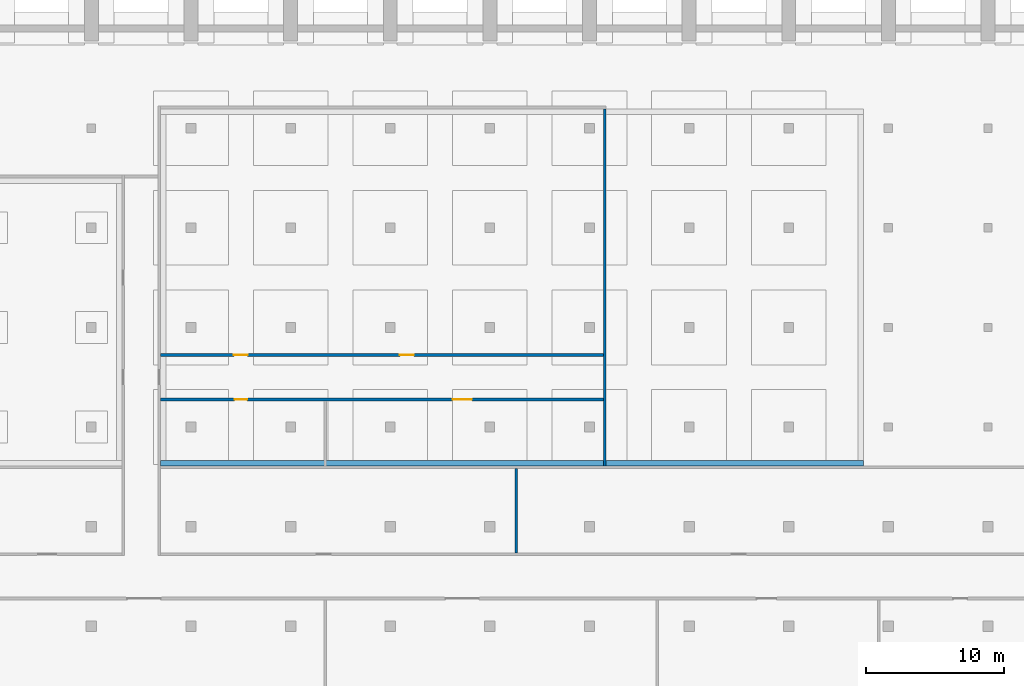
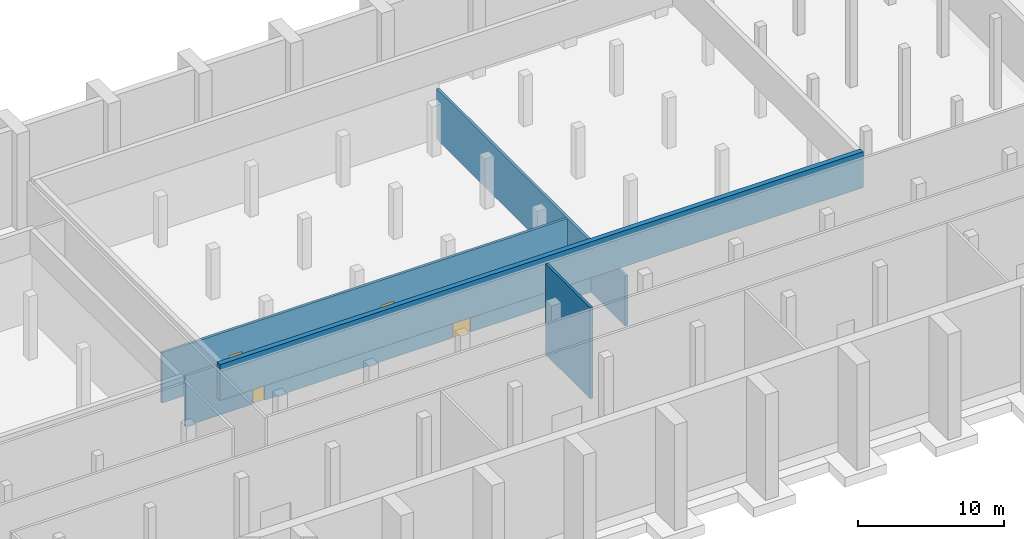
# One storey, part 7 of 14: 5 walls, 4 doors, 4 openings.
"""IFC4 building model written with IfcOpenShell, lengths in metres."""

import ifcopenshell
import ifcopenshell.guid

model = None  # the IFC model being written
_history = None  # IfcOwnerHistory: only IFC2X3 demands one
_inside = {}  # id of a spatial element -> (the spatial element, [elements in it])
_under = {}  # id of a project, library or spatial element -> (it, [spatial elements below it])
_declared = {}  # id of a project -> (the project, [libraries it declares])
_typed = {}  # id of a type object -> (the type object, [elements of that type])
_made_of = {}  # id of a material, layer set ... -> (it, [elements and type objects made of it])


def new_model(schema):
    """Start an empty IFC model of exactly this schema.

    Asked for "IFC4X3", IfcOpenShell would pick the latest addendum, in which some entities
    have other attributes; the version numbers below select the first issue.
    IFC2X3 requires an IfcOwnerHistory on every rooted entity: one is made here for all.
    """
    global model, _history
    if schema == "IFC4X3":
        model = ifcopenshell.file(schema_version=(4, 3, 0, 0))
    else:
        model = ifcopenshell.file(schema=schema)
    _inside.clear()
    _under.clear()
    _declared.clear()
    _typed.clear()
    _made_of.clear()
    _history = None
    if model.schema == "IFC2X3":
        org = make("IfcOrganization", Name="unknown")
        user = make(
            "IfcPersonAndOrganization",
            ThePerson=make("IfcPerson", FamilyName="unknown"),
            TheOrganization=org,
        )
        app = make(
            "IfcApplication",
            ApplicationDeveloper=org,
            Version="unknown",
            ApplicationFullName="unknown",
            ApplicationIdentifier="unknown",
        )
        _history = make(
            "IfcOwnerHistory",
            OwningUser=user,
            OwningApplication=app,
            ChangeAction="ADDED",
            CreationDate=0,
        )
    return model


def make(cls, **values):
    """One entity of the class cls with the attributes given. An attribute that is None is left unset."""
    return model.create_entity(
        cls, **{name: value for name, value in values.items() if value is not None}
    )


def rooted(cls, **values):
    """An entity with a GlobalId (a new one), such as an element, a storey or a relation."""
    return make(cls, GlobalId=ifcopenshell.guid.new(), OwnerHistory=_history, **values)


def si_unit(unit_type, name, prefix=None):
    """IfcSIUnit, for example si_unit("LENGTHUNIT", "METRE", prefix="MILLI")."""
    return make("IfcSIUnit", UnitType=unit_type, Prefix=prefix, Name=name)


def assignment(units):
    """IfcUnitAssignment: the units of a project."""
    return None if units is None else make("IfcUnitAssignment", Units=units)


def point(xyz):
    """IfcCartesianPoint."""
    return None if xyz is None else make("IfcCartesianPoint", Coordinates=xyz)


def direction(xyz):
    """IfcDirection."""
    return None if xyz is None else make("IfcDirection", DirectionRatios=xyz)


def frame(location, z_axis=None, x_axis=None):
    """IfcAxis2Placement3D, a coordinate frame: its origin and axes. An axis left out is left unset."""
    return make(
        "IfcAxis2Placement3D",
        Location=point(location),
        Axis=direction(z_axis),
        RefDirection=direction(x_axis),
    )


def frame_2d(location, x_axis=None):
    """IfcAxis2Placement2D, a coordinate frame in the plane: its origin and x axis."""
    return make(
        "IfcAxis2Placement2D", Location=point(location), RefDirection=direction(x_axis)
    )


def origin():
    """The frame at (0, 0, 0) with its axes left unset."""
    return frame((0.0, 0.0, 0.0))


def place(relative_to, where):
    """IfcLocalPlacement: puts the frame where relative to a parent placement (None: the world)."""
    return make(
        "IfcLocalPlacement", PlacementRelTo=relative_to, RelativePlacement=where
    )


def context(
    kind, dimensions, precision=None, world=None, true_north=None, identifier=None
):
    """IfcGeometricRepresentationContext, for example the 3D "Model" context."""
    return make(
        "IfcGeometricRepresentationContext",
        ContextIdentifier=identifier,
        ContextType=kind,
        CoordinateSpaceDimension=dimensions,
        Precision=precision,
        WorldCoordinateSystem=world,
        TrueNorth=true_north,
    )


def subcontext(parent, identifier, kind, view, scale=None):
    """IfcGeometricRepresentationSubContext, for example "Body" below "Model"."""
    return make(
        "IfcGeometricRepresentationSubContext",
        ContextIdentifier=identifier,
        ContextType=kind,
        ParentContext=parent,
        TargetScale=scale,
        TargetView=view,
    )


def project(units=None, contexts=None):
    """IfcProject with its units and contexts."""
    return rooted(
        "IfcProject",
        Name="project",
        RepresentationContexts=contexts,
        UnitsInContext=assignment(units),
    )


def spatial(cls, under=None, at=None, **own):
    """A site, building, storey or space (cls), placed at a placement, below another one or the project."""
    s = rooted(cls, ObjectPlacement=at, **own)
    if under is not None:
        _under.setdefault(under.id(), (under, []))[1].append(s)
    return s


def profile(cls, at=None, kind="AREA", **sizes):
    """A parametric profile (cls). Its sizes go by their IFC names, for example OverallWidth=200.0."""
    return make(cls, ProfileType=kind, Position=at, **sizes)


def rectangle(**sizes):
    """IfcRectangleProfileDef."""
    return profile("IfcRectangleProfileDef", **sizes)


def extrude(swept, where, along, depth):
    """IfcExtrudedAreaSolid: the profile swept, set in the frame where, extruded along a direction by depth."""
    return make(
        "IfcExtrudedAreaSolid",
        SweptArea=swept,
        Position=where,
        ExtrudedDirection=direction(along),
        Depth=depth,
    )


def shape(context_of_items, identifier, shape_type, items):
    """IfcShapeRepresentation: the items that make up one representation, for example the "Body"."""
    return make(
        "IfcShapeRepresentation",
        ContextOfItems=context_of_items,
        RepresentationIdentifier=identifier,
        RepresentationType=shape_type,
        Items=items,
    )


def material(Name=None, Category=None):
    """IfcMaterial."""
    return make("IfcMaterial", Name=Name, Category=Category)


def layer(
    of_material, thickness, ventilated=None, Name=None, Category=None, Priority=None
):
    """IfcMaterialLayer: one layer of a wall or slab, of a material (None: an air gap)."""
    return make(
        "IfcMaterialLayer",
        Material=of_material,
        LayerThickness=thickness,
        IsVentilated=ventilated,
        Name=Name,
        Category=Category,
        Priority=Priority,
    )


def layer_set(layers, Name=None):
    """IfcMaterialLayerSet."""
    return make("IfcMaterialLayerSet", MaterialLayers=layers, LayerSetName=Name)


def made_of(thing, what):
    """Note that an element or type object is made of a material, layer set ...; save() writes the relation."""
    if what is not None:
        _made_of.setdefault(what.id(), (what, []))[1].append(thing)
    return thing


def type_object(cls, material=None, **own):
    """A type object (cls), such as IfcWallType, which elements share."""
    return made_of(rooted(cls, **own), material)


def element(
    cls,
    number,
    at=None,
    inside=None,
    cuts=None,
    type_object=None,
    material=None,
    context=None,
    identifier="Body",
    shape_type=None,
    held_by="IfcProductDefinitionShape",
    body=None,
    shapes=None,
    **own,
):
    """One element of the class cls, such as IfcWall. Its Tag is "e" and its number.

    at: its placement. inside: the storey or other place that contains it. cuts: it is an
    opening in that element (IfcRelVoidsElement). A single representation is given by context,
    identifier, shape_type and body (its items); several are given by shapes. held_by: the class
    of the entity that holds the representations. save() writes the other relations.
    """
    e = rooted(cls, Tag="e%d" % number, ObjectPlacement=at, **own)
    if body is not None:
        shapes = [shape(context, identifier, shape_type, body)]
    if shapes is not None:
        e.Representation = make(held_by, Representations=shapes)
    if inside is not None:
        _inside.setdefault(inside.id(), (inside, []))[1].append(e)
    if cuts is not None:
        rooted(
            "IfcRelVoidsElement", RelatingBuildingElement=cuts, RelatedOpeningElement=e
        )
    if type_object is not None:
        _typed.setdefault(type_object.id(), (type_object, []))[1].append(e)
    return made_of(e, material)


def fill(opening, filler):
    """IfcRelFillsElement: the door or window that sits in an opening."""
    return rooted(
        "IfcRelFillsElement",
        RelatingOpeningElement=opening,
        RelatedBuildingElement=filler,
    )


def aggregate(whole, parts):
    """IfcRelAggregates: a whole, such as a stair, and the parts it consists of."""
    return rooted("IfcRelAggregates", RelatingObject=whole, RelatedObjects=parts)


def save(model, path):
    """Write the relations noted so far, then the file.

    IfcRelAggregates (storeys below a building ...), IfcRelContainedInSpatialStructure (elements
    in a storey), IfcRelDefinesByType, IfcRelAssociatesMaterial and IfcRelDeclares: one each for
    every whole, place, type object, material and project.
    """
    for whole, parts in _under.values():
        aggregate(whole, parts)
    for where, things in _inside.values():
        rooted(
            "IfcRelContainedInSpatialStructure",
            RelatedElements=things,
            RelatingStructure=where,
        )
    for kind, things in _typed.values():
        rooted("IfcRelDefinesByType", RelatedObjects=things, RelatingType=kind)
    for what, things in _made_of.values():
        rooted("IfcRelAssociatesMaterial", RelatedObjects=things, RelatingMaterial=what)
    for by, libraries in _declared.values():
        rooted("IfcRelDeclares", RelatingContext=by, RelatedDefinitions=libraries)
    model.write(path)


model = new_model("IFC4")

# Units and contexts
model_context = context("Model", 3, precision=1e-05, world=origin(), true_north=direction((0.0, 1.0)))
body_context = subcontext(model_context, "Body", "Model", "MODEL_VIEW")
ifc_project = project(units=[si_unit("LENGTHUNIT", "METRE"), si_unit("AREAUNIT", "SQUARE_METRE"), si_unit("VOLUMEUNIT", "CUBIC_METRE"), si_unit("PLANEANGLEUNIT", "RADIAN"), si_unit("MASSUNIT", "GRAM", prefix="KILO")], contexts=[model_context])

# Site, building, storey
site_placement = place(None, origin())
site = spatial("IfcSite", under=ifc_project, at=site_placement, CompositionType="ELEMENT")
building_placement = place(site_placement, origin())
building = spatial("IfcBuilding", under=site, at=building_placement, Name="Vermilion Court Aquatics Centre", CompositionType="ELEMENT")
storey_placement = place(building_placement, frame((0.0, 0.0, -8.0)))
storey = spatial("IfcBuildingStorey", under=building, at=storey_placement, Name="B1", CompositionType="ELEMENT", Elevation=-8.0)

# Walls
ifc_material_1 = material(Name="Concrete masonry ASTM C90 Type I", Category="masonry")
ifc_layer_1 = layer(ifc_material_1, 0.199951171875)
ifc_layer_set_1 = layer_set([ifc_layer_1], Name="Hall plant partition 200")
wall_type_1 = type_object("IfcWallType", Name="Hall plant partition 200", PredefinedType="PARTITIONING", material=ifc_layer_set_1)
wall_1_placement = place(storey_placement, frame((73.89990234375, 26.89990234375, 0.0), z_axis=(0.0, 0.0, 1.0), x_axis=(0.0, 1.0, 0.0)))
element("IfcWall", 1, at=wall_1_placement, inside=storey, type_object=wall_type_1, Name="Plant partition", PredefinedType="PARTITIONING", context=body_context, shape_type="SweptSolid", body=[
    extrude(rectangle(XDim=6.10009765625, YDim=0.199951171875, at=frame_2d((3.050048828125, 0.0))), origin(), (0.0, 0.0, 1.0), 7.594970703125),
])
wall_2_placement = place(storey_placement, frame((80.300048828125, 33.199951171875, 0.0), z_axis=(0.0, 0.0, 1.0), x_axis=(0.0, 1.0, 0.0)))
element("IfcWall", 2, at=wall_2_placement, inside=storey, type_object=wall_type_1, Name="Plant partition", PredefinedType="PARTITIONING", context=body_context, shape_type="SweptSolid", body=[
    extrude(rectangle(XDim=25.800048828125, YDim=0.199951171875, at=frame_2d((12.89990234375, 0.0))), origin(), (0.0, 0.0, 1.0), 4.199951171875),
])

# Wall, openings, doors
wall_3_placement = place(storey_placement, frame((48.199951171875, 38.0, 0.0), z_axis=(0.0, 0.0, 1.0), x_axis=(1.0, 0.0, 0.0)))
wall_3 = element("IfcWall", 3, at=wall_3_placement, inside=storey, type_object=wall_type_1, Name="Plant partition", PredefinedType="PARTITIONING", context=body_context, shape_type="SweptSolid", body=[
    extrude(rectangle(XDim=32.0, YDim=0.199951171875, at=frame_2d((16.0, 0.0))), origin(), (0.0, 0.0, 1.0), 4.199951171875),
])
opening_1_placement = place(wall_3_placement, frame((5.35009765625, 0.0, 0.0)))
opening_1 = element("IfcOpeningElement", 4, at=opening_1_placement, cuts=wall_3, Name="Opening HB1-012", PredefinedType="OPENING", context=body_context, shape_type="SweptSolid", body=[
    extrude(rectangle(XDim=0.89990234375, YDim=2.10009765625, at=frame_2d((0.449951171875, 1.050048828125))), frame((0.0, 0.10986328125, 0.0), z_axis=(0.0, -1.0, 0.0), x_axis=(1.0, 0.0, 0.0)), (0.0, 0.0, 1.0), 0.219970703125),
])
opening_2_placement = place(wall_3_placement, frame((21.10009765625, 0.0, 0.0)))
opening_2 = element("IfcOpeningElement", 5, at=opening_2_placement, cuts=wall_3, Name="Opening HB1-013", PredefinedType="OPENING", context=body_context, shape_type="SweptSolid", body=[
    extrude(rectangle(XDim=1.39990234375, YDim=2.10009765625, at=frame_2d((0.699951171875, 1.050048828125))), frame((0.0, 0.10986328125, 0.0), z_axis=(0.0, -1.0, 0.0), x_axis=(1.0, 0.0, 0.0)), (0.0, 0.0, 1.0), 0.219970703125),
])
ifc_material_2 = material(Name="Hollow metal")
door_type_1 = type_object("IfcDoorType", Name="Hall chemical store door 900x2100", OperationType="SINGLE_SWING_RIGHT", PredefinedType="DOOR", material=ifc_material_2)
door_1_placement = place(opening_1_placement, frame((0.89990234375, 0.0, 0.0), z_axis=(0.0, 0.0, 1.0), x_axis=(-1.0, 0.0, 0.0)))
door_1 = element("IfcDoor", 6, at=door_1_placement, inside=storey, type_object=door_type_1, Name="Door Chemical Store", OperationType="SINGLE_SWING_RIGHT", OverallHeight=2.10009765625, OverallWidth=0.89990234375, PredefinedType="DOOR", context=body_context, shape_type="SweptSolid", body=[
    extrude(rectangle(XDim=0.89990234375, YDim=2.10009765625, at=frame_2d((0.449951171875, 1.050048828125))), frame((0.0, 0.025146484375, 0.0), z_axis=(0.0, -1.0, 0.0), x_axis=(1.0, 0.0, 0.0)), (0.0, 0.0, 1.0), 0.050048828125),
])
fill(opening_1, door_1)
ifc_material_3 = material(Name="Hollow metal")
door_type_2 = type_object("IfcDoorType", Name="Hall switchgear door 1400x2100", OperationType="DOUBLE_DOOR_SINGLE_SWING", PredefinedType="DOOR", material=ifc_material_3)
door_2_placement = place(opening_2_placement, frame((1.39990234375, 0.0, 0.0), z_axis=(0.0, 0.0, 1.0), x_axis=(-1.0, 0.0, 0.0)))
door_2 = element("IfcDoor", 7, at=door_2_placement, inside=storey, type_object=door_type_2, Name="Door Switchgear Room", OperationType="DOUBLE_DOOR_SINGLE_SWING", OverallHeight=2.10009765625, OverallWidth=1.39990234375, PredefinedType="DOOR", context=body_context, shape_type="SweptSolid", body=[
    extrude(rectangle(XDim=1.39990234375, YDim=2.10009765625, at=frame_2d((0.699951171875, 1.050048828125))), frame((0.0, 0.025146484375, 0.0), z_axis=(0.0, -1.0, 0.0), x_axis=(1.0, 0.0, 0.0)), (0.0, 0.0, 1.0), 0.050048828125),
])
fill(opening_2, door_2)

wall_4_placement = place(storey_placement, frame((48.199951171875, 41.199951171875, 0.0), z_axis=(0.0, 0.0, 1.0), x_axis=(1.0, 0.0, 0.0)))
wall_4 = element("IfcWall", 8, at=wall_4_placement, inside=storey, type_object=wall_type_1, Name="Plant partition", PredefinedType="PARTITIONING", context=body_context, shape_type="SweptSolid", body=[
    extrude(rectangle(XDim=32.0, YDim=0.199951171875, at=frame_2d((16.0, 0.0))), origin(), (0.0, 0.0, 1.0), 4.199951171875),
])
opening_3_placement = place(wall_4_placement, frame((5.300048828125, 0.0, 0.0)))
opening_3 = element("IfcOpeningElement", 9, at=opening_3_placement, cuts=wall_4, Name="Opening HB1-014", PredefinedType="OPENING", context=body_context, shape_type="SweptSolid", body=[
    extrude(rectangle(XDim=1.0, YDim=2.10009765625, at=frame_2d((0.5, 1.050048828125))), frame((0.0, 0.10986328125, 0.0), z_axis=(0.0, -1.0, 0.0), x_axis=(1.0, 0.0, 0.0)), (0.0, 0.0, 1.0), 0.219970703125),
])
opening_4_placement = place(wall_4_placement, frame((17.300048828125, 0.0, 0.0)))
opening_4 = element("IfcOpeningElement", 10, at=opening_4_placement, cuts=wall_4, Name="Opening HB1-015", PredefinedType="OPENING", context=body_context, shape_type="SweptSolid", body=[
    extrude(rectangle(XDim=1.0, YDim=2.10009765625, at=frame_2d((0.5, 1.050048828125))), frame((0.0, 0.10986328125, 0.0), z_axis=(0.0, -1.0, 0.0), x_axis=(1.0, 0.0, 0.0)), (0.0, 0.0, 1.0), 0.219970703125),
])
ifc_material_4 = material(Name="Hollow metal")
door_type_3 = type_object("IfcDoorType", Name="Hall single door 1000x2100", OperationType="NOTDEFINED", PredefinedType="DOOR", material=ifc_material_4)
door_3_placement = place(opening_3_placement, frame((1.0, 0.0, 0.0), z_axis=(0.0, 0.0, 1.0), x_axis=(-1.0, 0.0, 0.0)))
door_3 = element("IfcDoor", 11, at=door_3_placement, inside=storey, type_object=door_type_3, Name="Door Filtration Hall", OperationType="SINGLE_SWING_RIGHT", OverallHeight=2.10009765625, OverallWidth=1.0, PredefinedType="DOOR", context=body_context, shape_type="SweptSolid", body=[
    extrude(rectangle(XDim=1.0, YDim=2.10009765625, at=frame_2d((0.5, 1.050048828125))), frame((0.0, 0.025146484375, 0.0), z_axis=(0.0, -1.0, 0.0), x_axis=(1.0, 0.0, 0.0)), (0.0, 0.0, 1.0), 0.050048828125),
])
fill(opening_3, door_3)
door_4_placement = place(opening_4_placement, frame((1.0, 0.0, 0.0), z_axis=(0.0, 0.0, 1.0), x_axis=(-1.0, 0.0, 0.0)))
door_4 = element("IfcDoor", 12, at=door_4_placement, inside=storey, type_object=door_type_3, Name="Door Filtration Hall", OperationType="SINGLE_SWING_LEFT", OverallHeight=2.10009765625, OverallWidth=1.0, PredefinedType="DOOR", context=body_context, shape_type="SweptSolid", body=[
    extrude(rectangle(XDim=1.0, YDim=2.10009765625, at=frame_2d((0.5, 1.050048828125))), frame((0.0, 0.025146484375, 0.0), z_axis=(0.0, -1.0, 0.0), x_axis=(1.0, 0.0, 0.0)), (0.0, 0.0, 1.0), 0.050048828125),
])
fill(opening_4, door_4)

# Wall
ifc_material_5 = material(Name="Concrete 6000 psi", Category="concrete")
ifc_layer_2 = layer(ifc_material_5, 0.39990234375)
ifc_layer_set_2 = layer_set([ifc_layer_2], Name="Hall pool tank wall 400")
wall_type_2 = type_object("IfcWallType", Name="Hall pool tank wall 400", PredefinedType="SOLIDWALL", material=ifc_layer_set_2)
wall_5_placement = place(storey_placement, frame((48.199951171875, 33.39990234375, 5.0), z_axis=(0.0, 0.0, 1.0), x_axis=(1.0, 0.0, 0.0)))
element("IfcWall", 13, at=wall_5_placement, inside=storey, type_object=wall_type_2, Name="Competition Pool tank wall", PredefinedType="SOLIDWALL", context=body_context, shape_type="SweptSolid", body=[
    extrude(rectangle(XDim=50.800048828125, YDim=0.39990234375, at=frame_2d((25.39990234375, 0.0))), origin(), (0.0, 0.0, 1.0), 3.0),
])

save(model, "model.ifc")
